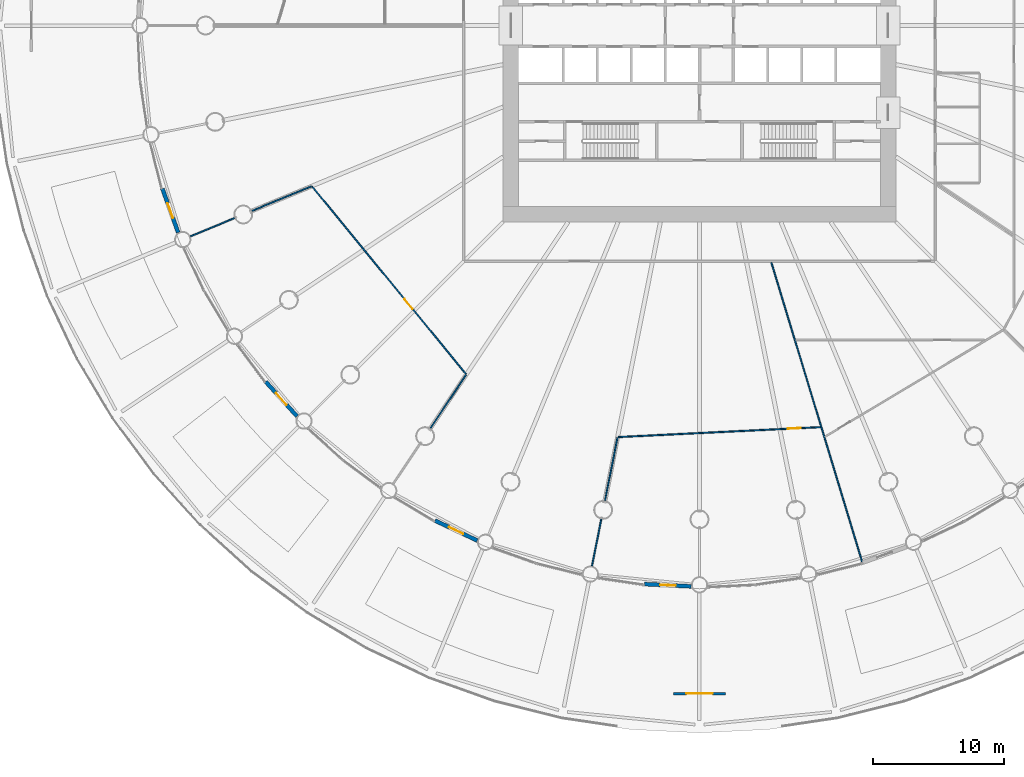
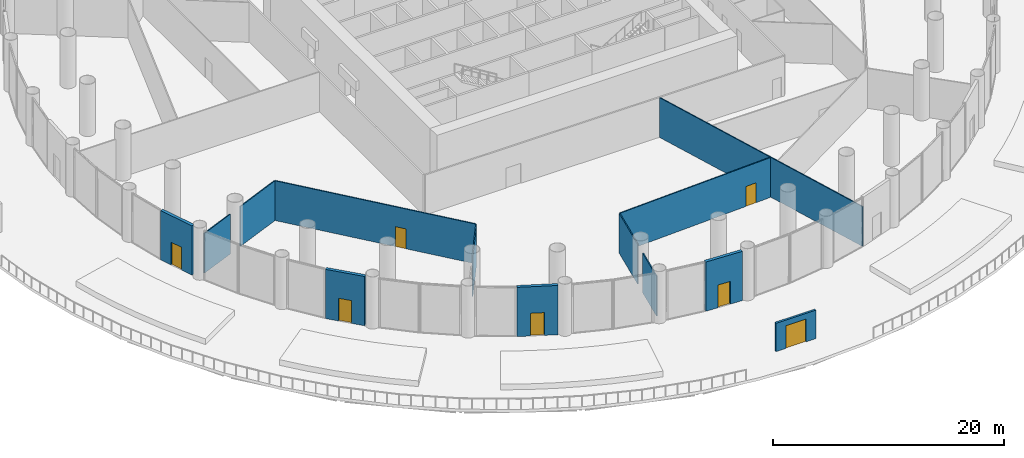
# One storey, part 27 of 36: 13 walls, 7 doors, 7 openings.
"""IFC4 building model written with IfcOpenShell, lengths in metres."""

from ifc_helpers import new_model, si_unit, direction, frame, frame_2d, origin, place, context, subcontext, project, spatial, rectangle, extrude, material, layer, layer_set, type_object, element, fill, save


model = new_model("IFC4")

# Units and contexts
model_context = context("Model", 3, precision=1e-05, world=origin(), true_north=direction((0.0, 1.0)))
body_context = subcontext(model_context, "Body", "Model", "MODEL_VIEW")
ifc_project = project(units=[si_unit("LENGTHUNIT", "METRE"), si_unit("AREAUNIT", "SQUARE_METRE"), si_unit("VOLUMEUNIT", "CUBIC_METRE"), si_unit("PLANEANGLEUNIT", "RADIAN"), si_unit("MASSUNIT", "GRAM", prefix="KILO")], contexts=[model_context])

# Site, building, storey
site_placement = place(None, origin())
site = spatial("IfcSite", under=ifc_project, at=site_placement, CompositionType="ELEMENT")
building_placement = place(site_placement, origin())
building = spatial("IfcBuilding", under=site, at=building_placement, Name="Corvane Civic Tower", CompositionType="ELEMENT")
storey_placement = place(building_placement, frame((0.0, 0.0, 6.0)))
storey = spatial("IfcBuildingStorey", under=building, at=storey_placement, Name="L01", CompositionType="ELEMENT", Elevation=6.0)

# Wall, opening, door
ifc_material_1 = material(Name="Terracotta cladding", Category="masonry")
ifc_layer_1 = layer(ifc_material_1, 0.300048828125)
ifc_layer_set_1 = layer_set([ifc_layer_1], Name="Terracotta cladding")
wall_type_1 = type_object("IfcWallType", Name="PODIUM-W-DRUMDOOR-300", PredefinedType="SOLIDWALL", material=ifc_layer_set_1)
wall_1_placement = place(storey_placement, frame((-0.6318359375, -42.81884765625, 0.0), z_axis=(0.0, 0.0, 1.0), x_axis=(-0.998793719427, 0.049103014495, 0.0)))
wall_1 = element("IfcWall", 1, at=wall_1_placement, inside=storey, type_object=wall_type_1, Name="L01 drum door bay wall 17", PredefinedType="SOLIDWALL", context=body_context, shape_type="SweptSolid", body=[
    extrude(rectangle(XDim=3.56005859375, YDim=0.300048828125, at=frame_2d((1.780029296875, 0.0))), origin(), (0.0, 0.0, 1.0), 5.199951171875),
])
opening_1_placement = place(wall_1_placement, frame((1.179931640625, 0.0, 0.0)))
opening_1 = element("IfcOpeningElement", 2, at=opening_1_placement, cuts=wall_1, Name="Opening ED-L01-17", PredefinedType="OPENING", context=body_context, shape_type="SweptSolid", body=[
    extrude(rectangle(XDim=1.199951171875, YDim=2.39990234375, at=frame_2d((0.60009765625, 1.199951171875))), frame((0.0, 0.159912109375, 0.0), z_axis=(0.0, -1.0, 0.0), x_axis=(1.0, 0.0, 0.0)), (0.0, 0.0, 1.0), 0.320068359375),
])
ifc_material_2 = material(Name="Anodised aluminium and glass", Category="aluminium")
door_type_1 = type_object("IfcDoorType", Name="PODIUM-D-BALCONY-1200", OperationType="SINGLE_SWING_LEFT", PredefinedType="DOOR", material=ifc_material_2)
door_1_placement = place(opening_1_placement, origin())
door_1 = element("IfcDoor", 3, at=door_1_placement, inside=storey, type_object=door_type_1, Name="L01 balcony door 17", OperationType="SINGLE_SWING_LEFT", OverallHeight=2.39990234375, OverallWidth=1.199951171875, PredefinedType="DOOR", context=body_context, shape_type="SweptSolid", body=[
    extrude(rectangle(XDim=1.199951171875, YDim=2.39990234375, at=frame_2d((0.60009765625, 1.199951171875))), frame((0.0, 0.02490234375, 0.0), z_axis=(0.0, -1.0, 0.0), x_axis=(1.0, 0.0, 0.0)), (0.0, 0.0, 1.0), 0.050048828125),
])
fill(opening_1, door_1)

wall_2_placement = place(storey_placement, frame((-16.9697265625, -39.317626953125, 0.0), z_axis=(0.0, 0.0, 1.0), x_axis=(-0.903993235074, 0.427546758778, 0.0)))
wall_2 = element("IfcWall", 4, at=wall_2_placement, inside=storey, type_object=wall_type_1, Name="L01 drum door bay wall 19", PredefinedType="SOLIDWALL", context=body_context, shape_type="SweptSolid", body=[
    extrude(rectangle(XDim=3.559814453125, YDim=0.300048828125, at=frame_2d((1.77978515625, 0.0))), origin(), (0.0, 0.0, 1.0), 5.199951171875),
])
opening_2_placement = place(wall_2_placement, frame((1.179931640625, 0.0, 0.0)))
opening_2 = element("IfcOpeningElement", 5, at=opening_2_placement, cuts=wall_2, Name="Opening ED-L01-19", PredefinedType="OPENING", context=body_context, shape_type="SweptSolid", body=[
    extrude(rectangle(XDim=1.199951171875, YDim=2.39990234375, at=frame_2d((0.60009765625, 1.199951171875))), frame((0.0, 0.159912109375, 0.0), z_axis=(0.0, -1.0, 0.0), x_axis=(1.0, 0.0, 0.0)), (0.0, 0.0, 1.0), 0.320068359375),
])
door_2_placement = place(opening_2_placement, origin())
door_2 = element("IfcDoor", 6, at=door_2_placement, inside=storey, type_object=door_type_1, Name="L01 balcony door 19", OperationType="SINGLE_SWING_LEFT", OverallHeight=2.39990234375, OverallWidth=1.199951171875, PredefinedType="DOOR", context=body_context, shape_type="SweptSolid", body=[
    extrude(rectangle(XDim=1.199951171875, YDim=2.39990234375, at=frame_2d((0.60009765625, 1.199951171875))), frame((0.0, 0.02490234375, 0.0), z_axis=(0.0, -1.0, 0.0), x_axis=(1.0, 0.0, 0.0)), (0.0, 0.0, 1.0), 0.050048828125),
])
fill(opening_2, door_2)

wall_3_placement = place(storey_placement, frame((-30.72412109375, -29.83056640625, 0.0), z_axis=(0.0, 0.0, 1.0), x_axis=(-0.671590022694, 0.740922965913, 0.0)))
wall_3 = element("IfcWall", 7, at=wall_3_placement, inside=storey, type_object=wall_type_1, Name="L01 drum door bay wall 21", PredefinedType="SOLIDWALL", context=body_context, shape_type="SweptSolid", body=[
    extrude(rectangle(XDim=3.56005859375, YDim=0.300048828125, at=frame_2d((1.780029296875, 0.0))), origin(), (0.0, 0.0, 1.0), 5.199951171875),
])
opening_3_placement = place(wall_3_placement, frame((1.179931640625, 0.0, 0.0)))
opening_3 = element("IfcOpeningElement", 8, at=opening_3_placement, cuts=wall_3, Name="Opening ED-L01-21", PredefinedType="OPENING", context=body_context, shape_type="SweptSolid", body=[
    extrude(rectangle(XDim=1.199951171875, YDim=2.39990234375, at=frame_2d((0.60009765625, 1.199951171875))), frame((0.0, 0.159912109375, 0.0), z_axis=(0.0, -1.0, 0.0), x_axis=(1.0, 0.0, 0.0)), (0.0, 0.0, 1.0), 0.320068359375),
])
door_3_placement = place(opening_3_placement, origin())
door_3 = element("IfcDoor", 9, at=door_3_placement, inside=storey, type_object=door_type_1, Name="L01 balcony door 21", OperationType="SINGLE_SWING_LEFT", OverallHeight=2.39990234375, OverallWidth=1.199951171875, PredefinedType="DOOR", context=body_context, shape_type="SweptSolid", body=[
    extrude(rectangle(XDim=1.199951171875, YDim=2.39990234375, at=frame_2d((0.60009765625, 1.199951171875))), frame((0.0, 0.02490234375, 0.0), z_axis=(0.0, -1.0, 0.0), x_axis=(1.0, 0.0, 0.0)), (0.0, 0.0, 1.0), 0.050048828125),
])
fill(opening_3, door_3)

wall_4_placement = place(storey_placement, frame((-39.80126953125, -15.80224609375, 0.0), z_axis=(0.0, 0.0, 1.0), x_axis=(-0.336870717414, 0.941550911926, 0.0)))
wall_4 = element("IfcWall", 10, at=wall_4_placement, inside=storey, type_object=wall_type_1, Name="L01 drum door bay wall 23", PredefinedType="SOLIDWALL", context=body_context, shape_type="SweptSolid", body=[
    extrude(rectangle(XDim=3.559814453125, YDim=0.300048828125, at=frame_2d((1.77978515625, 0.0))), origin(), (0.0, 0.0, 1.0), 5.199951171875),
])
opening_4_placement = place(wall_4_placement, frame((1.179931640625, 0.0, 0.0)))
opening_4 = element("IfcOpeningElement", 11, at=opening_4_placement, cuts=wall_4, Name="Opening ED-L01-23", PredefinedType="OPENING", context=body_context, shape_type="SweptSolid", body=[
    extrude(rectangle(XDim=1.199951171875, YDim=2.39990234375, at=frame_2d((0.60009765625, 1.199951171875))), frame((0.0, 0.159912109375, 0.0), z_axis=(0.0, -1.0, 0.0), x_axis=(1.0, 0.0, 0.0)), (0.0, 0.0, 1.0), 0.320068359375),
])
door_4_placement = place(opening_4_placement, origin())
door_4 = element("IfcDoor", 12, at=door_4_placement, inside=storey, type_object=door_type_1, Name="L01 balcony door 23", OperationType="SINGLE_SWING_LEFT", OverallHeight=2.39990234375, OverallWidth=1.199951171875, PredefinedType="DOOR", context=body_context, shape_type="SweptSolid", body=[
    extrude(rectangle(XDim=1.199951171875, YDim=2.39990234375, at=frame_2d((0.60009765625, 1.199951171875))), frame((0.0, 0.02490234375, 0.0), z_axis=(0.0, -1.0, 0.0), x_axis=(1.0, 0.0, 0.0)), (0.0, 0.0, 1.0), 0.050048828125),
])
fill(opening_4, door_4)

ifc_material_3 = material(Name="Anodised aluminium bronze", Category="aluminium")
ifc_layer_2 = layer(ifc_material_3, 0.199951171875)
ifc_layer_set_2 = layer_set([ifc_layer_2], Name="Anodised aluminium bronze")
wall_type_2 = type_object("IfcWallType", Name="PODIUM-W-GATESCREEN-200", PredefinedType="SOLIDWALL", material=ifc_layer_set_2)
wall_5_placement = place(storey_placement, frame((-2.0, -51.0, 0.0), z_axis=(0.0, 0.0, 1.0), x_axis=(1.0, 0.0, 0.0)))
wall_5 = element("IfcWall", 13, at=wall_5_placement, inside=storey, type_object=wall_type_2, Name="Garden gate screen south", PredefinedType="SOLIDWALL", context=body_context, shape_type="SweptSolid", body=[
    extrude(rectangle(XDim=4.0, YDim=0.199951171875, at=frame_2d((2.0, 0.0))), origin(), (0.0, 0.0, 1.0), 3.0),
])
opening_5_placement = place(wall_5_placement, frame((1.0, 0.0, 0.0)))
opening_5 = element("IfcOpeningElement", 14, at=opening_5_placement, cuts=wall_5, Name="Opening ED-L01-G3", PredefinedType="OPENING", context=body_context, shape_type="SweptSolid", body=[
    extrude(rectangle(XDim=2.0, YDim=2.39990234375, at=frame_2d((1.0, 1.199951171875))), frame((0.0, 0.10986328125, 0.0), z_axis=(0.0, -1.0, 0.0), x_axis=(1.0, 0.0, 0.0)), (0.0, 0.0, 1.0), 0.219970703125),
])
ifc_material_4 = material(Name="Anodised aluminium bronze gate leaves", Category="aluminium")
door_type_2 = type_object("IfcDoorType", Name="PODIUM-D-GATE-2000", OperationType="DOUBLE_DOOR_SINGLE_SWING", PredefinedType="DOOR", material=ifc_material_4)
door_5_placement = place(opening_5_placement, origin())
door_5 = element("IfcDoor", 15, at=door_5_placement, inside=storey, type_object=door_type_2, Name="Garden gate south", OperationType="DOUBLE_DOOR_SINGLE_SWING", OverallHeight=2.39990234375, OverallWidth=2.0, PredefinedType="DOOR", context=body_context, shape_type="SweptSolid", body=[
    extrude(rectangle(XDim=2.0, YDim=2.39990234375, at=frame_2d((1.0, 1.199951171875))), frame((0.0, 0.02490234375, 0.0), z_axis=(0.0, -1.0, 0.0), x_axis=(1.0, 0.0, 0.0)), (0.0, 0.0, 1.0), 0.050048828125),
])
fill(opening_5, door_5)

# Walls
ifc_material_5 = material(Name="Plasterboard")
ifc_layer_3 = layer(ifc_material_5, 0.10009765625)
ifc_layer_set_3 = layer_set([ifc_layer_3], Name="Plasterboard")
wall_type_3 = type_object("IfcWallType", Name="Partition 100 plasterboard on studs", PredefinedType="PARTITIONING", material=ifc_layer_set_3)
wall_6_placement = place(storey_placement, frame((-8.21142578125, -41.281494140625, 0.0), z_axis=(0.0, 0.0, 1.0), x_axis=(0.195095468315, 0.980784256727, 0.0)))
element("IfcWall", 16, at=wall_6_placement, inside=storey, type_object=wall_type_3, Name="Partition L01.001", PredefinedType="PARTITIONING", context=body_context, shape_type="SweptSolid", body=[
    extrude(rectangle(XDim=3.680419921875, YDim=0.10009765625, at=frame_2d((1.84033203125, 0.0))), origin(), (0.0, 0.0, 1.0), 4.199951171875),
])
wall_7_placement = place(storey_placement, frame((5.4873046875, -18.089599609375, 0.0), z_axis=(0.0, 0.0, 1.0), x_axis=(0.290288039911, -0.956939315675, 0.0)))
element("IfcWall", 17, at=wall_7_placement, inside=storey, type_object=wall_type_3, Name="Partition L01.002", PredefinedType="PARTITIONING", context=body_context, shape_type="SweptSolid", body=[
    extrude(rectangle(XDim=24.046630859375, YDim=0.10009765625, at=frame_2d((12.0234375, 0.0))), origin(), (0.0, 0.0, 1.0), 4.199951171875),
])
wall_8_placement = place(storey_placement, frame((-7.21630859375, -36.279296875, 0.0), z_axis=(0.0, 0.0, 1.0), x_axis=(0.195055479358, 0.980792210395, 0.0)))
element("IfcWall", 18, at=wall_8_placement, inside=storey, type_object=wall_type_3, Name="Partition L01.003", PredefinedType="PARTITIONING", context=body_context, shape_type="SweptSolid", body=[
    extrude(rectangle(XDim=4.9140625, YDim=0.10009765625, at=frame_2d((2.45703125, 0.0))), origin(), (0.0, 0.0, 1.0), 4.199951171875),
])

# Wall, opening, door
wall_9_placement = place(storey_placement, frame((-6.211181640625, -31.41943359375, 0.0), z_axis=(0.0, 0.0, 1.0), x_axis=(0.998795692088, 0.04906287258, 0.0)))
wall_9 = element("IfcWall", 19, at=wall_9_placement, inside=storey, type_object=wall_type_3, Name="Partition L01.005", PredefinedType="PARTITIONING", context=body_context, shape_type="SweptSolid", body=[
    extrude(rectangle(XDim=15.465576171875, YDim=0.10009765625, at=frame_2d((7.73291015625, 0.0))), origin(), (0.0, 0.0, 1.0), 4.199951171875),
])
opening_6_placement = place(wall_9_placement, frame((12.95849609375, 0.0, 0.0)))
opening_6 = element("IfcOpeningElement", 20, at=opening_6_placement, cuts=wall_9, Name="Opening L01.011", PredefinedType="OPENING", context=body_context, shape_type="SweptSolid", body=[
    extrude(rectangle(XDim=1.0, YDim=2.10009765625, at=frame_2d((0.5, 1.050048828125))), frame((0.0, 0.06005859375, 0.0), z_axis=(0.0, -1.0, 0.0), x_axis=(1.0, 0.0, 0.0)), (0.0, 0.0, 1.0), 0.1201171875),
])
ifc_material_6 = material(Name="Timber", Category="wood")
door_type_3 = type_object("IfcDoorType", Name="Single door 1000", OperationType="NOTDEFINED", PredefinedType="DOOR", material=ifc_material_6)
door_6_placement = place(opening_6_placement, frame((1.0, 0.0, 0.0), z_axis=(0.0, 0.0, 1.0), x_axis=(-1.0, 0.0, 0.0)))
door_6 = element("IfcDoor", 21, at=door_6_placement, inside=storey, type_object=door_type_3, Name="Door L01.011", OperationType="SINGLE_SWING_LEFT", OverallHeight=2.10009765625, OverallWidth=1.0, PredefinedType="DOOR", context=body_context, shape_type="SweptSolid", body=[
    extrude(rectangle(XDim=1.0, YDim=2.10009765625, at=frame_2d((0.5, 1.050048828125))), frame((0.0, 0.02490234375, 0.0), z_axis=(0.0, -1.0, 0.0), x_axis=(1.0, 0.0, 0.0)), (0.0, 0.0, 1.0), 0.050048828125),
])
fill(opening_6, door_6)

# Wall
wall_10_placement = place(storey_placement, frame((-20.550537109375, -30.756103515625, 0.0), z_axis=(0.0, 0.0, 1.0), x_axis=(0.555548026325, 0.831484449913, 0.0)))
element("IfcWall", 22, at=wall_10_placement, inside=storey, type_object=wall_type_3, Name="Partition L01.007", PredefinedType="PARTITIONING", context=body_context, shape_type="SweptSolid", body=[
    extrude(rectangle(XDim=4.915771484375, YDim=0.10009765625, at=frame_2d((2.4580078125, 0.0))), origin(), (0.0, 0.0, 1.0), 4.199951171875),
])

# Wall, opening, door
wall_11_placement = place(storey_placement, frame((-29.574951171875, -12.288818359375, 0.0), z_axis=(0.0, 0.0, 1.0), x_axis=(0.634388907087, -0.773014045516, 0.0)))
wall_11 = element("IfcWall", 23, at=wall_11_placement, inside=storey, type_object=wall_type_3, Name="Partition L01.009", PredefinedType="PARTITIONING", context=body_context, shape_type="SweptSolid", body=[
    extrude(rectangle(XDim=18.525634765625, YDim=0.10009765625, at=frame_2d((9.2626953125, 0.0))), origin(), (0.0, 0.0, 1.0), 4.199951171875),
])
opening_7_placement = place(wall_11_placement, frame((11.10888671875, 0.0, 0.0)))
opening_7 = element("IfcOpeningElement", 24, at=opening_7_placement, cuts=wall_11, Name="Opening L01.012", PredefinedType="OPENING", context=body_context, shape_type="SweptSolid", body=[
    extrude(rectangle(XDim=1.0, YDim=2.10009765625, at=frame_2d((0.5, 1.050048828125))), frame((0.0, 0.06005859375, 0.0), z_axis=(0.0, -1.0, 0.0), x_axis=(1.0, 0.0, 0.0)), (0.0, 0.0, 1.0), 0.1201171875),
])
door_7_placement = place(opening_7_placement, frame((1.0, 0.0, 0.0), z_axis=(0.0, 0.0, 1.0), x_axis=(-1.0, 0.0, 0.0)))
door_7 = element("IfcDoor", 25, at=door_7_placement, inside=storey, type_object=door_type_3, Name="Door L01.012", OperationType="SINGLE_SWING_RIGHT", OverallHeight=2.10009765625, OverallWidth=1.0, PredefinedType="DOOR", context=body_context, shape_type="SweptSolid", body=[
    extrude(rectangle(XDim=1.0, YDim=2.10009765625, at=frame_2d((0.5, 1.050048828125))), frame((0.0, 0.02490234375, 0.0), z_axis=(0.0, -1.0, 0.0), x_axis=(1.0, 0.0, 0.0)), (0.0, 0.0, 1.0), 0.050048828125),
])
fill(opening_7, door_7)

# Walls
wall_12_placement = place(storey_placement, frame((-38.885986328125, -16.107177734375, 0.0), z_axis=(0.0, 0.0, 1.0), x_axis=(0.923877746385, 0.382687744427, 0.0)))
element("IfcWall", 26, at=wall_12_placement, inside=storey, type_object=wall_type_3, Name="Partition L01.017", PredefinedType="PARTITIONING", context=body_context, shape_type="SweptSolid", body=[
    extrude(rectangle(XDim=3.6796875, YDim=0.10009765625, at=frame_2d((1.83984375, 0.0))), origin(), (0.0, 0.0, 1.0), 4.199951171875),
])
wall_13_placement = place(storey_placement, frame((-34.17431640625, -14.155517578125, 0.0), z_axis=(0.0, 0.0, 1.0), x_axis=(0.923872770653, 0.382699756526, 0.0)))
element("IfcWall", 27, at=wall_13_placement, inside=storey, type_object=wall_type_3, Name="Partition L01.019", PredefinedType="PARTITIONING", context=body_context, shape_type="SweptSolid", body=[
    extrude(rectangle(XDim=4.916015625, YDim=0.10009765625, at=frame_2d((2.4580078125, 0.0))), origin(), (0.0, 0.0, 1.0), 4.199951171875),
])

save(model, "model.ifc")
